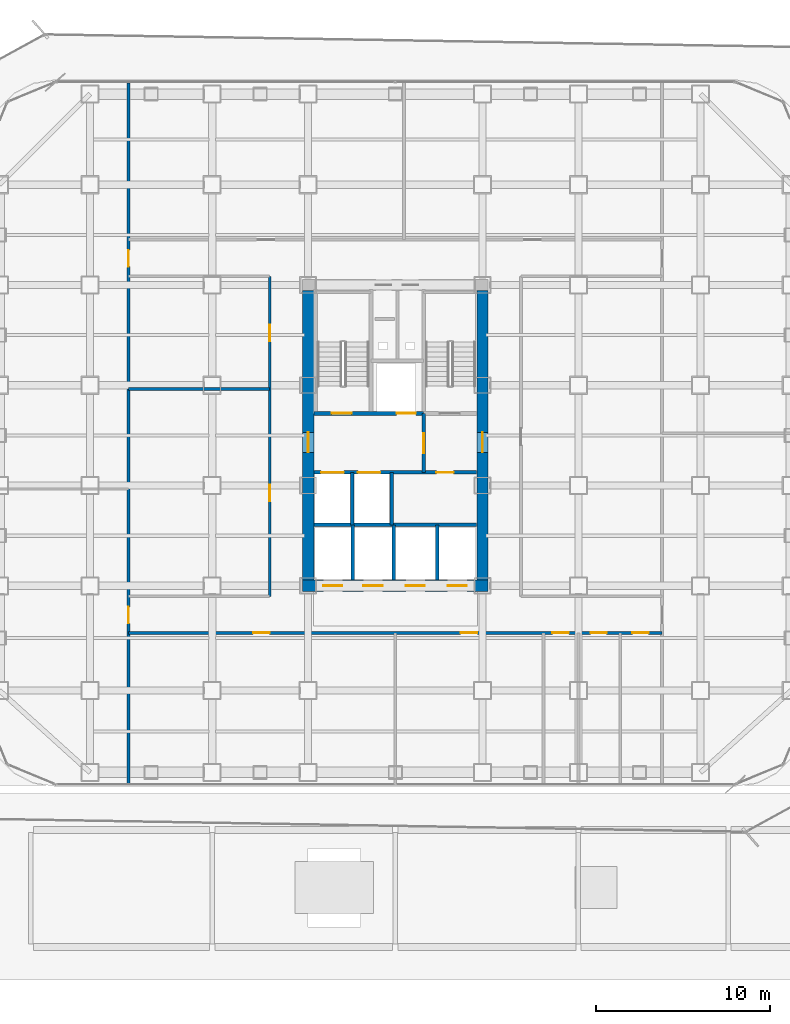
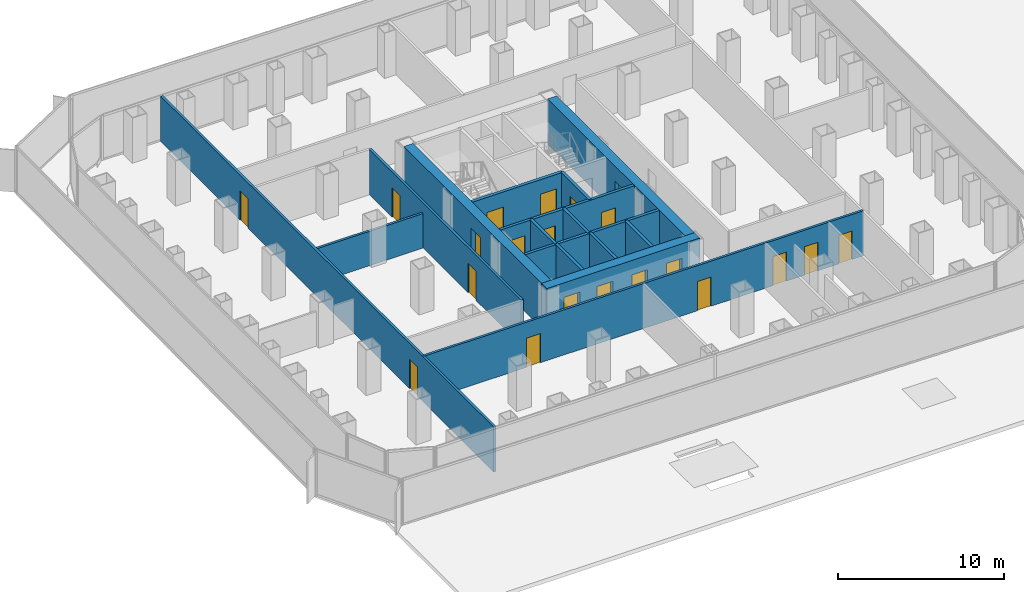
# One storey, part 23 of 27: 21 doors, 16 walls, 21 openings.
"""IFC4 building model written with IfcOpenShell, lengths in metres."""

from ifc_helpers import new_model, si_unit, direction, frame, frame_2d, origin, place, context, subcontext, project, spatial, rectangle, extrude, material, layer, layer_set, type_object, element, fill, save


model = new_model("IFC4")

# Units and contexts
model_context = context("Model", 3, precision=1e-05, world=origin(), true_north=direction((0.0, 1.0)))
body_context = subcontext(model_context, "Body", "Model", "MODEL_VIEW")
ifc_project = project(units=[si_unit("LENGTHUNIT", "METRE"), si_unit("AREAUNIT", "SQUARE_METRE"), si_unit("VOLUMEUNIT", "CUBIC_METRE"), si_unit("PLANEANGLEUNIT", "RADIAN"), si_unit("MASSUNIT", "GRAM", prefix="KILO")], contexts=[model_context])

# Site, building, storey
site_placement = place(None, origin())
site = spatial("IfcSite", under=ifc_project, at=site_placement, CompositionType="ELEMENT")
building_placement = place(site_placement, origin())
building = spatial("IfcBuilding", under=site, at=building_placement, Name="Kolveth Station Tower", CompositionType="ELEMENT")
storey_placement = place(building_placement, frame((0.0, 0.0, 22.5)))
storey = spatial("IfcBuildingStorey", under=building, at=storey_placement, Name="L05", CompositionType="ELEMENT", Elevation=22.5)

# Wall, openings, doors
ifc_material_1 = material(Name="Concrete C60/75", Category="concrete")
ifc_layer_1 = layer(ifc_material_1, 0.64990234375)
ifc_layer_set_1 = layer_set([ifc_layer_1], Name="Concrete C60/75")
wall_type_1 = type_object("IfcWallType", Name="Wall_CW-650", PredefinedType="SHEAR", material=ifc_layer_set_1)
wall_1_placement = place(storey_placement, frame((18.175048828125, 11.5, 0.0), z_axis=(0.0, 0.0, 1.0), x_axis=(1.0, 0.0, 0.0)))
wall_1 = element("IfcWall", 1, at=wall_1_placement, inside=storey, type_object=wall_type_1, Name="L05 Core RC Shear Wall S", PredefinedType="SHEAR", context=body_context, shape_type="SweptSolid", body=[
    extrude(rectangle(XDim=10.64990234375, YDim=0.64990234375, at=frame_2d((5.324951171875, 0.0))), origin(), (0.0, 0.0, 1.0), 3.320068359375),
])
opening_1_placement = place(wall_1_placement, frame((1.195068359375, 0.0, 0.0)))
opening_1 = element("IfcOpeningElement", 2, at=opening_1_placement, cuts=wall_1, Name="Opening LD1", PredefinedType="OPENING", context=body_context, shape_type="SweptSolid", body=[
    extrude(rectangle(XDim=1.10009765625, YDim=2.25, at=frame_2d((0.550048828125, 1.125))), frame((0.0, 0.3349609375, 0.0), z_axis=(0.0, -1.0, 0.0), x_axis=(1.0, 0.0, 0.0)), (0.0, 0.0, 1.0), 0.669921875),
])
opening_2_placement = place(wall_1_placement, frame((3.4951171875, 0.0, 0.0)))
opening_2 = element("IfcOpeningElement", 3, at=opening_2_placement, cuts=wall_1, Name="Opening LD1", PredefinedType="OPENING", context=body_context, shape_type="SweptSolid", body=[
    extrude(rectangle(XDim=1.10009765625, YDim=2.25, at=frame_2d((0.550048828125, 1.125))), frame((0.0, 0.3349609375, 0.0), z_axis=(0.0, -1.0, 0.0), x_axis=(1.0, 0.0, 0.0)), (0.0, 0.0, 1.0), 0.669921875),
])
opening_3_placement = place(wall_1_placement, frame((5.925048828125, 0.0, 0.0)))
opening_3 = element("IfcOpeningElement", 4, at=opening_3_placement, cuts=wall_1, Name="Opening LD1", PredefinedType="OPENING", context=body_context, shape_type="SweptSolid", body=[
    extrude(rectangle(XDim=1.10009765625, YDim=2.25, at=frame_2d((0.550048828125, 1.125))), frame((0.0, 0.3349609375, 0.0), z_axis=(0.0, -1.0, 0.0), x_axis=(1.0, 0.0, 0.0)), (0.0, 0.0, 1.0), 0.669921875),
])
opening_4_placement = place(wall_1_placement, frame((8.324951171875, 0.0, 0.0)))
opening_4 = element("IfcOpeningElement", 5, at=opening_4_placement, cuts=wall_1, Name="Opening LD1", PredefinedType="OPENING", context=body_context, shape_type="SweptSolid", body=[
    extrude(rectangle(XDim=1.10009765625, YDim=2.25, at=frame_2d((0.550048828125, 1.125))), frame((0.0, 0.3349609375, 0.0), z_axis=(0.0, -1.0, 0.0), x_axis=(1.0, 0.0, 0.0)), (0.0, 0.0, 1.0), 0.669921875),
])
ifc_material_2 = material(Name="Brushed stainless steel sliding landing doors", Category="steel")
door_type_1 = type_object("IfcDoorType", Name="Door_LD1", OperationType="NOTDEFINED", PredefinedType="DOOR", material=ifc_material_2)
door_1_placement = place(opening_1_placement, frame((1.10009765625, 0.0, 0.0), z_axis=(0.0, 0.0, 1.0), x_axis=(-1.0, 0.0, 0.0)))
door_1 = element("IfcDoor", 6, at=door_1_placement, inside=storey, type_object=door_type_1, Name="L05 Lift PL1 Landing Door", OperationType="DOUBLE_DOOR_SLIDING", OverallHeight=2.25, OverallWidth=1.10009765625, PredefinedType="DOOR", context=body_context, shape_type="SweptSolid", body=[
    extrude(rectangle(XDim=1.10009765625, YDim=2.25, at=frame_2d((0.550048828125, 1.125))), frame((0.0, 0.02490234375, 0.0), z_axis=(0.0, -1.0, 0.0), x_axis=(1.0, 0.0, 0.0)), (0.0, 0.0, 1.0), 0.050048828125),
])
fill(opening_1, door_1)
door_2_placement = place(opening_2_placement, frame((1.10009765625, 0.0, 0.0), z_axis=(0.0, 0.0, 1.0), x_axis=(-1.0, 0.0, 0.0)))
door_2 = element("IfcDoor", 7, at=door_2_placement, inside=storey, type_object=door_type_1, Name="L05 Lift PL2 Landing Door", OperationType="DOUBLE_DOOR_SLIDING", OverallHeight=2.25, OverallWidth=1.10009765625, PredefinedType="DOOR", context=body_context, shape_type="SweptSolid", body=[
    extrude(rectangle(XDim=1.10009765625, YDim=2.25, at=frame_2d((0.550048828125, 1.125))), frame((0.0, 0.02490234375, 0.0), z_axis=(0.0, -1.0, 0.0), x_axis=(1.0, 0.0, 0.0)), (0.0, 0.0, 1.0), 0.050048828125),
])
fill(opening_2, door_2)
door_3_placement = place(opening_3_placement, frame((1.10009765625, 0.0, 0.0), z_axis=(0.0, 0.0, 1.0), x_axis=(-1.0, 0.0, 0.0)))
door_3 = element("IfcDoor", 8, at=door_3_placement, inside=storey, type_object=door_type_1, Name="L05 Lift PM1 Landing Door", OperationType="DOUBLE_DOOR_SLIDING", OverallHeight=2.25, OverallWidth=1.10009765625, PredefinedType="DOOR", context=body_context, shape_type="SweptSolid", body=[
    extrude(rectangle(XDim=1.10009765625, YDim=2.25, at=frame_2d((0.550048828125, 1.125))), frame((0.0, 0.02490234375, 0.0), z_axis=(0.0, -1.0, 0.0), x_axis=(1.0, 0.0, 0.0)), (0.0, 0.0, 1.0), 0.050048828125),
])
fill(opening_3, door_3)
door_4_placement = place(opening_4_placement, frame((1.10009765625, 0.0, 0.0), z_axis=(0.0, 0.0, 1.0), x_axis=(-1.0, 0.0, 0.0)))
door_4 = element("IfcDoor", 9, at=door_4_placement, inside=storey, type_object=door_type_1, Name="L05 Lift PH1 Landing Door", OperationType="DOUBLE_DOOR_SLIDING", OverallHeight=2.25, OverallWidth=1.10009765625, PredefinedType="DOOR", context=body_context, shape_type="SweptSolid", body=[
    extrude(rectangle(XDim=1.10009765625, YDim=2.25, at=frame_2d((0.550048828125, 1.125))), frame((0.0, 0.02490234375, 0.0), z_axis=(0.0, -1.0, 0.0), x_axis=(1.0, 0.0, 0.0)), (0.0, 0.0, 1.0), 0.050048828125),
])
fill(opening_4, door_4)

# Wall, opening, door
wall_2_placement = place(storey_placement, frame((18.5, 11.824951171875, 0.0), z_axis=(0.0, 0.0, 1.0), x_axis=(0.0, 1.0, 0.0)))
wall_2 = element("IfcWall", 10, at=wall_2_placement, inside=storey, type_object=wall_type_1, Name="L05 Core RC Shear Wall W", PredefinedType="SHEAR", context=body_context, shape_type="SweptSolid", body=[
    extrude(rectangle(XDim=16.60009765625, YDim=0.64990234375, at=frame_2d((8.300048828125, 0.0))), origin(), (0.0, 0.0, 1.0), 3.320068359375),
])
opening_5_placement = place(wall_2_placement, frame((7.324951171875, 0.0, 0.0)))
opening_5 = element("IfcOpeningElement", 11, at=opening_5_placement, cuts=wall_2, Name="Opening FD1", PredefinedType="OPENING", context=body_context, shape_type="SweptSolid", body=[
    extrude(rectangle(XDim=1.14990234375, YDim=2.199951171875, at=frame_2d((0.574951171875, 1.10009765625))), frame((0.0, 0.3349609375, 0.0), z_axis=(0.0, -1.0, 0.0), x_axis=(1.0, 0.0, 0.0)), (0.0, 0.0, 1.0), 0.669921875),
])
ifc_material_3 = material(Name="Fire-rated Steel S355 leaf and frame", Category="steel")
door_type_2 = type_object("IfcDoorType", Name="Door_FD1", OperationType="NOTDEFINED", PredefinedType="DOOR", material=ifc_material_3)
door_5_placement = place(opening_5_placement, frame((1.14990234375, 0.0, 0.0), z_axis=(0.0, 0.0, 1.0), x_axis=(-1.0, 0.0, 0.0)))
door_5 = element("IfcDoor", 12, at=door_5_placement, inside=storey, type_object=door_type_2, Name="L05 West Corridor to Firefighting Lobby Door", OperationType="SINGLE_SWING_LEFT", OverallHeight=2.199951171875, OverallWidth=1.14990234375, PredefinedType="DOOR", context=body_context, shape_type="SweptSolid", body=[
    extrude(rectangle(XDim=1.14990234375, YDim=2.199951171875, at=frame_2d((0.574951171875, 1.10009765625))), frame((0.0, 0.02490234375, 0.0), z_axis=(0.0, -1.0, 0.0), x_axis=(1.0, 0.0, 0.0)), (0.0, 0.0, 1.0), 0.050048828125),
])
fill(opening_5, door_5)

wall_3_placement = place(storey_placement, frame((28.5, 11.824951171875, 0.0), z_axis=(0.0, 0.0, 1.0), x_axis=(0.0, 1.0, 0.0)))
wall_3 = element("IfcWall", 13, at=wall_3_placement, inside=storey, type_object=wall_type_1, Name="L05 Core RC Shear Wall E", PredefinedType="SHEAR", context=body_context, shape_type="SweptSolid", body=[
    extrude(rectangle(XDim=16.60009765625, YDim=0.64990234375, at=frame_2d((8.300048828125, 0.0))), origin(), (0.0, 0.0, 1.0), 3.320068359375),
])
opening_6_placement = place(wall_3_placement, frame((7.324951171875, 0.0, 0.0)))
opening_6 = element("IfcOpeningElement", 14, at=opening_6_placement, cuts=wall_3, Name="Opening FD1", PredefinedType="OPENING", context=body_context, shape_type="SweptSolid", body=[
    extrude(rectangle(XDim=1.14990234375, YDim=2.199951171875, at=frame_2d((0.574951171875, 1.10009765625))), frame((0.0, 0.3349609375, 0.0), z_axis=(0.0, -1.0, 0.0), x_axis=(1.0, 0.0, 0.0)), (0.0, 0.0, 1.0), 0.669921875),
])
door_6_placement = place(opening_6_placement, origin())
door_6 = element("IfcDoor", 15, at=door_6_placement, inside=storey, type_object=door_type_2, Name="L05 East Corridor to Stair Lobby Door", OperationType="SINGLE_SWING_RIGHT", OverallHeight=2.199951171875, OverallWidth=1.14990234375, PredefinedType="DOOR", context=body_context, shape_type="SweptSolid", body=[
    extrude(rectangle(XDim=1.14990234375, YDim=2.199951171875, at=frame_2d((0.574951171875, 1.10009765625))), frame((0.0, 0.02490234375, 0.0), z_axis=(0.0, -1.0, 0.0), x_axis=(1.0, 0.0, 0.0)), (0.0, 0.0, 1.0), 0.050048828125),
])
fill(opening_6, door_6)

# Wall, openings, doors
ifc_material_4 = material(Name="Acoustic double-stud gypsum partition")
ifc_layer_2 = layer(ifc_material_4, 0.1650390625)
ifc_layer_set_2 = layer_set([ifc_layer_2], Name="Acoustic double-stud gypsum partition")
wall_type_2 = type_object("IfcWallType", Name="Wall_IW-165", PredefinedType="PARTITIONING", material=ifc_layer_set_2)
wall_4_placement = place(storey_placement, frame((8.199951171875, 8.800048828125, 0.0), z_axis=(0.0, 0.0, 1.0), x_axis=(1.0, 0.0, 0.0)))
wall_4 = element("IfcWall", 16, at=wall_4_placement, inside=storey, type_object=wall_type_2, Name="L05 Partition Wall WL-L05-OS", PredefinedType="PARTITIONING", context=body_context, shape_type="SweptSolid", body=[
    extrude(rectangle(XDim=30.60009765625, YDim=0.1650390625, at=frame_2d((15.300048828125, 0.0))), origin(), (0.0, 0.0, 1.0), 3.320068359375),
])
opening_7_placement = place(wall_4_placement, frame((7.14990234375, 0.0, 0.0)))
opening_7 = element("IfcOpeningElement", 17, at=opening_7_placement, cuts=wall_4, Name="Opening ID1", PredefinedType="OPENING", context=body_context, shape_type="SweptSolid", body=[
    extrude(rectangle(XDim=0.949951171875, YDim=2.14990234375, at=frame_2d((0.47509765625, 1.074951171875))), frame((0.0, 0.092529296875, 0.0), z_axis=(0.0, -1.0, 0.0), x_axis=(1.0, 0.0, 0.0)), (0.0, 0.0, 1.0), 0.18505859375),
])
opening_8_placement = place(wall_4_placement, frame((19.050048828125, 0.0, 0.0)))
opening_8 = element("IfcOpeningElement", 18, at=opening_8_placement, cuts=wall_4, Name="Opening ID1", PredefinedType="OPENING", context=body_context, shape_type="SweptSolid", body=[
    extrude(rectangle(XDim=0.949951171875, YDim=2.14990234375, at=frame_2d((0.47509765625, 1.074951171875))), frame((0.0, 0.092529296875, 0.0), z_axis=(0.0, -1.0, 0.0), x_axis=(1.0, 0.0, 0.0)), (0.0, 0.0, 1.0), 0.18505859375),
])
opening_9_placement = place(wall_4_placement, frame((24.300048828125, 0.0, 0.0)))
opening_9 = element("IfcOpeningElement", 19, at=opening_9_placement, cuts=wall_4, Name="Opening ID1", PredefinedType="OPENING", context=body_context, shape_type="SweptSolid", body=[
    extrude(rectangle(XDim=0.949951171875, YDim=2.14990234375, at=frame_2d((0.47509765625, 1.074951171875))), frame((0.0, 0.092529296875, 0.0), z_axis=(0.0, -1.0, 0.0), x_axis=(1.0, 0.0, 0.0)), (0.0, 0.0, 1.0), 0.18505859375),
])
opening_10_placement = place(wall_4_placement, frame((26.5, 0.0, 0.0)))
opening_10 = element("IfcOpeningElement", 20, at=opening_10_placement, cuts=wall_4, Name="Opening ID2", PredefinedType="OPENING", context=body_context, shape_type="SweptSolid", body=[
    extrude(rectangle(XDim=0.919921875, YDim=2.10009765625, at=frame_2d((0.4599609375, 1.050048828125))), frame((0.0, 0.092529296875, 0.0), z_axis=(0.0, -1.0, 0.0), x_axis=(1.0, 0.0, 0.0)), (0.0, 0.0, 1.0), 0.18505859375),
])
opening_11_placement = place(wall_4_placement, frame((28.89990234375, 0.0, 0.0)))
opening_11 = element("IfcOpeningElement", 21, at=opening_11_placement, cuts=wall_4, Name="Opening ID2", PredefinedType="OPENING", context=body_context, shape_type="SweptSolid", body=[
    extrude(rectangle(XDim=0.919921875, YDim=2.10009765625, at=frame_2d((0.4599609375, 1.050048828125))), frame((0.0, 0.092529296875, 0.0), z_axis=(0.0, -1.0, 0.0), x_axis=(1.0, 0.0, 0.0)), (0.0, 0.0, 1.0), 0.18505859375),
])
ifc_material_5 = material(Name="Acoustic hardwood leaf and aluminium frame", Category="wood")
door_type_3 = type_object("IfcDoorType", Name="Door_ID1", OperationType="NOTDEFINED", PredefinedType="DOOR", material=ifc_material_5)
door_7_placement = place(opening_7_placement, frame((0.949951171875, 0.0, 0.0), z_axis=(0.0, 0.0, 1.0), x_axis=(-1.0, 0.0, 0.0)))
door_7 = element("IfcDoor", 22, at=door_7_placement, inside=storey, type_object=door_type_3, Name="L05 Open Plan Office South Door", OperationType="SINGLE_SWING_LEFT", OverallHeight=2.14990234375, OverallWidth=0.949951171875, PredefinedType="DOOR", context=body_context, shape_type="SweptSolid", body=[
    extrude(rectangle(XDim=0.949951171875, YDim=2.14990234375, at=frame_2d((0.47509765625, 1.074951171875))), frame((0.0, 0.02490234375, 0.0), z_axis=(0.0, -1.0, 0.0), x_axis=(1.0, 0.0, 0.0)), (0.0, 0.0, 1.0), 0.050048828125),
])
fill(opening_7, door_7)
door_8_placement = place(opening_8_placement, frame((0.949951171875, 0.0, 0.0), z_axis=(0.0, 0.0, 1.0), x_axis=(-1.0, 0.0, 0.0)))
door_8 = element("IfcDoor", 23, at=door_8_placement, inside=storey, type_object=door_type_3, Name="L05 Boardroom Door", OperationType="SINGLE_SWING_RIGHT", OverallHeight=2.14990234375, OverallWidth=0.949951171875, PredefinedType="DOOR", context=body_context, shape_type="SweptSolid", body=[
    extrude(rectangle(XDim=0.949951171875, YDim=2.14990234375, at=frame_2d((0.47509765625, 1.074951171875))), frame((0.0, 0.02490234375, 0.0), z_axis=(0.0, -1.0, 0.0), x_axis=(1.0, 0.0, 0.0)), (0.0, 0.0, 1.0), 0.050048828125),
])
fill(opening_8, door_8)
door_9_placement = place(opening_9_placement, frame((0.949951171875, 0.0, 0.0), z_axis=(0.0, 0.0, 1.0), x_axis=(-1.0, 0.0, 0.0)))
door_9 = element("IfcDoor", 24, at=door_9_placement, inside=storey, type_object=door_type_3, Name="L05 Office Pantry Door", OperationType="SINGLE_SWING_LEFT", OverallHeight=2.14990234375, OverallWidth=0.949951171875, PredefinedType="DOOR", context=body_context, shape_type="SweptSolid", body=[
    extrude(rectangle(XDim=0.949951171875, YDim=2.14990234375, at=frame_2d((0.47509765625, 1.074951171875))), frame((0.0, 0.02490234375, 0.0), z_axis=(0.0, -1.0, 0.0), x_axis=(1.0, 0.0, 0.0)), (0.0, 0.0, 1.0), 0.050048828125),
])
fill(opening_9, door_9)
ifc_material_6 = material(Name="Moisture-resistant hardwood leaf", Category="wood")
door_type_4 = type_object("IfcDoorType", Name="Door_ID2", OperationType="NOTDEFINED", PredefinedType="DOOR", material=ifc_material_6)
door_10_placement = place(opening_10_placement, frame((0.919921875, 0.0, 0.0), z_axis=(0.0, 0.0, 1.0), x_axis=(-1.0, 0.0, 0.0)))
door_10 = element("IfcDoor", 25, at=door_10_placement, inside=storey, type_object=door_type_4, Name="L05 Male Toilet Door", OperationType="SINGLE_SWING_LEFT", OverallHeight=2.10009765625, OverallWidth=0.919921875, PredefinedType="DOOR", context=body_context, shape_type="SweptSolid", body=[
    extrude(rectangle(XDim=0.919921875, YDim=2.10009765625, at=frame_2d((0.4599609375, 1.050048828125))), frame((0.0, 0.02490234375, 0.0), z_axis=(0.0, -1.0, 0.0), x_axis=(1.0, 0.0, 0.0)), (0.0, 0.0, 1.0), 0.050048828125),
])
fill(opening_10, door_10)
door_11_placement = place(opening_11_placement, frame((0.919921875, 0.0, 0.0), z_axis=(0.0, 0.0, 1.0), x_axis=(-1.0, 0.0, 0.0)))
door_11 = element("IfcDoor", 26, at=door_11_placement, inside=storey, type_object=door_type_4, Name="L05 Accessible WC Door", OperationType="SINGLE_SWING_LEFT", OverallHeight=2.10009765625, OverallWidth=0.919921875, PredefinedType="DOOR", context=body_context, shape_type="SweptSolid", body=[
    extrude(rectangle(XDim=0.919921875, YDim=2.10009765625, at=frame_2d((0.4599609375, 1.050048828125))), frame((0.0, 0.02490234375, 0.0), z_axis=(0.0, -1.0, 0.0), x_axis=(1.0, 0.0, 0.0)), (0.0, 0.0, 1.0), 0.050048828125),
])
fill(opening_11, door_11)

wall_5_placement = place(storey_placement, frame((16.300048828125, 10.89990234375, 0.0), z_axis=(0.0, 0.0, 1.0), x_axis=(0.0, 1.0, 0.0)))
wall_5 = element("IfcWall", 27, at=wall_5_placement, inside=storey, type_object=wall_type_2, Name="L05 Partition Wall WL-L05-OCW", PredefinedType="PARTITIONING", context=body_context, shape_type="SweptSolid", body=[
    extrude(rectangle(XDim=18.35009765625, YDim=0.1650390625, at=frame_2d((9.175048828125, 0.0))), origin(), (0.0, 0.0, 1.0), 3.320068359375),
])
opening_12_placement = place(wall_5_placement, frame((5.43994140625, 0.0, 0.0)))
opening_12 = element("IfcOpeningElement", 28, at=opening_12_placement, cuts=wall_5, Name="Opening ID1", PredefinedType="OPENING", context=body_context, shape_type="SweptSolid", body=[
    extrude(rectangle(XDim=0.949951171875, YDim=2.14990234375, at=frame_2d((0.47509765625, 1.074951171875))), frame((0.0, 0.092529296875, 0.0), z_axis=(0.0, -1.0, 0.0), x_axis=(1.0, 0.0, 0.0)), (0.0, 0.0, 1.0), 0.18505859375),
])
opening_13_placement = place(wall_5_placement, frame((14.615966796875, 0.0, 0.0)))
opening_13 = element("IfcOpeningElement", 29, at=opening_13_placement, cuts=wall_5, Name="Opening ID1", PredefinedType="OPENING", context=body_context, shape_type="SweptSolid", body=[
    extrude(rectangle(XDim=0.949951171875, YDim=2.14990234375, at=frame_2d((0.47509765625, 1.074951171875))), frame((0.0, 0.092529296875, 0.0), z_axis=(0.0, -1.0, 0.0), x_axis=(1.0, 0.0, 0.0)), (0.0, 0.0, 1.0), 0.18505859375),
])
door_12_placement = place(opening_12_placement, frame((0.949951171875, 0.0, 0.0), z_axis=(0.0, 0.0, 1.0), x_axis=(-1.0, 0.0, 0.0)))
door_12 = element("IfcDoor", 30, at=door_12_placement, inside=storey, type_object=door_type_3, Name="L05 Internal Meeting Room W1 Door", OperationType="SINGLE_SWING_RIGHT", OverallHeight=2.14990234375, OverallWidth=0.949951171875, PredefinedType="DOOR", context=body_context, shape_type="SweptSolid", body=[
    extrude(rectangle(XDim=0.949951171875, YDim=2.14990234375, at=frame_2d((0.47509765625, 1.074951171875))), frame((0.0, 0.02490234375, 0.0), z_axis=(0.0, -1.0, 0.0), x_axis=(1.0, 0.0, 0.0)), (0.0, 0.0, 1.0), 0.050048828125),
])
fill(opening_12, door_12)
door_13_placement = place(opening_13_placement, frame((0.949951171875, 0.0, 0.0), z_axis=(0.0, 0.0, 1.0), x_axis=(-1.0, 0.0, 0.0)))
door_13 = element("IfcDoor", 31, at=door_13_placement, inside=storey, type_object=door_type_3, Name="L05 Print and Archive Room Door", OperationType="SINGLE_SWING_LEFT", OverallHeight=2.14990234375, OverallWidth=0.949951171875, PredefinedType="DOOR", context=body_context, shape_type="SweptSolid", body=[
    extrude(rectangle(XDim=0.949951171875, YDim=2.14990234375, at=frame_2d((0.47509765625, 1.074951171875))), frame((0.0, 0.02490234375, 0.0), z_axis=(0.0, -1.0, 0.0), x_axis=(1.0, 0.0, 0.0)), (0.0, 0.0, 1.0), 0.050048828125),
])
fill(opening_13, door_13)

wall_6_placement = place(storey_placement, frame((8.199951171875, 0.159912109375, 0.0), z_axis=(0.0, 0.0, 1.0), x_axis=(0.0, 1.0, 0.0)))
wall_6 = element("IfcWall", 32, at=wall_6_placement, inside=storey, type_object=wall_type_2, Name="L05 Partition Wall WL-L05-OWEND", PredefinedType="PARTITIONING", context=body_context, shape_type="SweptSolid", body=[
    extrude(rectangle(XDim=40.18017578125, YDim=0.1650390625, at=frame_2d((20.090087890625, 0.0))), origin(), (0.0, 0.0, 1.0), 3.320068359375),
])
opening_14_placement = place(wall_6_placement, frame((9.18994140625, 0.0, 0.0)))
opening_14 = element("IfcOpeningElement", 33, at=opening_14_placement, cuts=wall_6, Name="Opening ID1", PredefinedType="OPENING", context=body_context, shape_type="SweptSolid", body=[
    extrude(rectangle(XDim=0.949951171875, YDim=2.14990234375, at=frame_2d((0.47509765625, 1.074951171875))), frame((0.0, 0.092529296875, 0.0), z_axis=(0.0, -1.0, 0.0), x_axis=(1.0, 0.0, 0.0)), (0.0, 0.0, 1.0), 0.18505859375),
])
opening_15_placement = place(wall_6_placement, frame((29.639892578125, 0.0, 0.0)))
opening_15 = element("IfcOpeningElement", 34, at=opening_15_placement, cuts=wall_6, Name="Opening ID1", PredefinedType="OPENING", context=body_context, shape_type="SweptSolid", body=[
    extrude(rectangle(XDim=0.949951171875, YDim=2.14990234375, at=frame_2d((0.47509765625, 1.074951171875))), frame((0.0, 0.092529296875, 0.0), z_axis=(0.0, -1.0, 0.0), x_axis=(1.0, 0.0, 0.0)), (0.0, 0.0, 1.0), 0.18505859375),
])
door_14_placement = place(opening_14_placement, frame((0.949951171875, 0.0, 0.0), z_axis=(0.0, 0.0, 1.0), x_axis=(-1.0, 0.0, 0.0)))
door_14 = element("IfcDoor", 35, at=door_14_placement, inside=storey, type_object=door_type_3, Name="L05 West-South Wing Door", OperationType="SINGLE_SWING_RIGHT", OverallHeight=2.14990234375, OverallWidth=0.949951171875, PredefinedType="DOOR", context=body_context, shape_type="SweptSolid", body=[
    extrude(rectangle(XDim=0.949951171875, YDim=2.14990234375, at=frame_2d((0.47509765625, 1.074951171875))), frame((0.0, 0.02490234375, 0.0), z_axis=(0.0, -1.0, 0.0), x_axis=(1.0, 0.0, 0.0)), (0.0, 0.0, 1.0), 0.050048828125),
])
fill(opening_14, door_14)
door_15_placement = place(opening_15_placement, frame((0.949951171875, 0.0, 0.0), z_axis=(0.0, 0.0, 1.0), x_axis=(-1.0, 0.0, 0.0)))
door_15 = element("IfcDoor", 36, at=door_15_placement, inside=storey, type_object=door_type_3, Name="L05 West-North Wing Door", OperationType="SINGLE_SWING_LEFT", OverallHeight=2.14990234375, OverallWidth=0.949951171875, PredefinedType="DOOR", context=body_context, shape_type="SweptSolid", body=[
    extrude(rectangle(XDim=0.949951171875, YDim=2.14990234375, at=frame_2d((0.47509765625, 1.074951171875))), frame((0.0, 0.02490234375, 0.0), z_axis=(0.0, -1.0, 0.0), x_axis=(1.0, 0.0, 0.0)), (0.0, 0.0, 1.0), 0.050048828125),
])
fill(opening_15, door_15)

# Wall
wall_7_placement = place(storey_placement, frame((8.199951171875, 22.781005859375, 0.0), z_axis=(0.0, 0.0, 1.0), x_axis=(1.0, 0.0, 0.0)))
element("IfcWall", 37, at=wall_7_placement, inside=storey, type_object=wall_type_2, Name="L05 Partition Wall WL-L05-OIW-P1", PredefinedType="PARTITIONING", context=body_context, shape_type="SweptSolid", body=[
    extrude(rectangle(XDim=8.10009765625, YDim=0.1650390625, at=frame_2d((4.050048828125, 0.0))), origin(), (0.0, 0.0, 1.0), 2.5390625),
])

# Wall, opening, door
ifc_material_7 = material(Name="Acoustic fire-rated gypsum blockwork", Category="masonry")
ifc_layer_3 = layer(ifc_material_7, 0.199951171875)
ifc_layer_set_3 = layer_set([ifc_layer_3], Name="Acoustic fire-rated gypsum blockwork")
wall_type_3 = type_object("IfcWallType", Name="Wall_IW-200", PredefinedType="PARTITIONING", material=ifc_layer_set_3)
wall_8_placement = place(storey_placement, frame((25.1298828125, 18.0, 0.0), z_axis=(0.0, 0.0, 1.0), x_axis=(0.0, 1.0, 0.0)))
wall_8 = element("IfcWall", 38, at=wall_8_placement, inside=storey, type_object=wall_type_3, Name="L05 Partition Wall WL-L05-FFL-E", PredefinedType="PARTITIONING", context=body_context, shape_type="SweptSolid", body=[
    extrude(rectangle(XDim=3.389892578125, YDim=0.199951171875, at=frame_2d((1.69482421875, 0.0))), origin(), (0.0, 0.0, 1.0), 3.320068359375),
])
opening_16_placement = place(wall_8_placement, frame((1.10009765625, 0.0, 0.0)))
opening_16 = element("IfcOpeningElement", 39, at=opening_16_placement, cuts=wall_8, Name="Opening FD1", PredefinedType="OPENING", context=body_context, shape_type="SweptSolid", body=[
    extrude(rectangle(XDim=1.14990234375, YDim=2.199951171875, at=frame_2d((0.574951171875, 1.10009765625))), frame((0.0, 0.10986328125, 0.0), z_axis=(0.0, -1.0, 0.0), x_axis=(1.0, 0.0, 0.0)), (0.0, 0.0, 1.0), 0.219970703125),
])
door_16_placement = place(opening_16_placement, origin())
door_16 = element("IfcDoor", 40, at=door_16_placement, inside=storey, type_object=door_type_2, Name="L05 Firefighting to Stair Lobby Door", OperationType="SINGLE_SWING_LEFT", OverallHeight=2.199951171875, OverallWidth=1.14990234375, PredefinedType="DOOR", context=body_context, shape_type="SweptSolid", body=[
    extrude(rectangle(XDim=1.14990234375, YDim=2.199951171875, at=frame_2d((0.574951171875, 1.10009765625))), frame((0.0, 0.02490234375, 0.0), z_axis=(0.0, -1.0, 0.0), x_axis=(1.0, 0.0, 0.0)), (0.0, 0.0, 1.0), 0.050048828125),
])
fill(opening_16, door_16)

# Wall, openings, doors
wall_9_placement = place(storey_placement, frame((18.8349609375, 18.0, 0.0), z_axis=(0.0, 0.0, 1.0), x_axis=(1.0, 0.0, 0.0)))
wall_9 = element("IfcWall", 41, at=wall_9_placement, inside=storey, type_object=wall_type_3, Name="L05 Partition Wall WL-L05-FFL-S", PredefinedType="PARTITIONING", context=body_context, shape_type="SweptSolid", body=[
    extrude(rectangle(XDim=9.330078125, YDim=0.199951171875, at=frame_2d((4.6650390625, 0.0))), origin(), (0.0, 0.0, 1.0), 3.320068359375),
])
opening_17_placement = place(wall_9_placement, frame((0.4150390625, 0.0, 0.0)))
opening_17 = element("IfcOpeningElement", 42, at=opening_17_placement, cuts=wall_9, Name="Opening LD2", PredefinedType="OPENING", context=body_context, shape_type="SweptSolid", body=[
    extrude(rectangle(XDim=1.300048828125, YDim=2.300048828125, at=frame_2d((0.64990234375, 1.14990234375))), frame((0.0, 0.10986328125, 0.0), z_axis=(0.0, -1.0, 0.0), x_axis=(1.0, 0.0, 0.0)), (0.0, 0.0, 1.0), 0.219970703125),
])
opening_18_placement = place(wall_9_placement, frame((2.514892578125, 0.0, 0.0)))
opening_18 = element("IfcOpeningElement", 43, at=opening_18_placement, cuts=wall_9, Name="Opening LD2", PredefinedType="OPENING", context=body_context, shape_type="SweptSolid", body=[
    extrude(rectangle(XDim=1.300048828125, YDim=2.300048828125, at=frame_2d((0.64990234375, 1.14990234375))), frame((0.0, 0.10986328125, 0.0), z_axis=(0.0, -1.0, 0.0), x_axis=(1.0, 0.0, 0.0)), (0.0, 0.0, 1.0), 0.219970703125),
])
opening_19_placement = place(wall_9_placement, frame((7.014892578125, 0.0, 0.0)))
opening_19 = element("IfcOpeningElement", 44, at=opening_19_placement, cuts=wall_9, Name="Opening FD3", PredefinedType="OPENING", context=body_context, shape_type="SweptSolid", body=[
    extrude(rectangle(XDim=1.0, YDim=2.14990234375, at=frame_2d((0.5, 1.074951171875))), frame((0.0, 0.10986328125, 0.0), z_axis=(0.0, -1.0, 0.0), x_axis=(1.0, 0.0, 0.0)), (0.0, 0.0, 1.0), 0.219970703125),
])
ifc_material_8 = material(Name="Fire-rated hardwood leaf and aluminium frame", Category="wood")
door_type_5 = type_object("IfcDoorType", Name="Door_FD3", OperationType="NOTDEFINED", PredefinedType="DOOR", material=ifc_material_8)
door_17_placement = place(opening_19_placement, frame((1.0, 0.0, 0.0), z_axis=(0.0, 0.0, 1.0), x_axis=(-1.0, 0.0, 0.0)))
door_17 = element("IfcDoor", 45, at=door_17_placement, inside=storey, type_object=door_type_5, Name="L05 Core Staff Pantry Door", OperationType="SINGLE_SWING_RIGHT", OverallHeight=2.14990234375, OverallWidth=1.0, PredefinedType="DOOR", context=body_context, shape_type="SweptSolid", body=[
    extrude(rectangle(XDim=1.0, YDim=2.14990234375, at=frame_2d((0.5, 1.074951171875))), frame((0.0, 0.02490234375, 0.0), z_axis=(0.0, -1.0, 0.0), x_axis=(1.0, 0.0, 0.0)), (0.0, 0.0, 1.0), 0.050048828125),
])
fill(opening_19, door_17)
ifc_material_9 = material(Name="Firefighting stainless steel sliding landing doors", Category="steel")
door_type_6 = type_object("IfcDoorType", Name="Door_LD2", OperationType="NOTDEFINED", PredefinedType="DOOR", material=ifc_material_9)
door_18_placement = place(opening_17_placement, origin())
door_18 = element("IfcDoor", 46, at=door_18_placement, inside=storey, type_object=door_type_6, Name="L05 Firefighting Lift FF1 Landing Door", OperationType="DOUBLE_DOOR_SLIDING", OverallHeight=2.300048828125, OverallWidth=1.300048828125, PredefinedType="DOOR", context=body_context, shape_type="SweptSolid", body=[
    extrude(rectangle(XDim=1.300048828125, YDim=2.300048828125, at=frame_2d((0.64990234375, 1.14990234375))), frame((0.0, 0.02490234375, 0.0), z_axis=(0.0, -1.0, 0.0), x_axis=(1.0, 0.0, 0.0)), (0.0, 0.0, 1.0), 0.050048828125),
])
fill(opening_17, door_18)
door_19_placement = place(opening_18_placement, origin())
door_19 = element("IfcDoor", 47, at=door_19_placement, inside=storey, type_object=door_type_6, Name="L05 Firefighting Lift FF2 Landing Door", OperationType="DOUBLE_DOOR_SLIDING", OverallHeight=2.300048828125, OverallWidth=1.300048828125, PredefinedType="DOOR", context=body_context, shape_type="SweptSolid", body=[
    extrude(rectangle(XDim=1.300048828125, YDim=2.300048828125, at=frame_2d((0.64990234375, 1.14990234375))), frame((0.0, 0.02490234375, 0.0), z_axis=(0.0, -1.0, 0.0), x_axis=(1.0, 0.0, 0.0)), (0.0, 0.0, 1.0), 0.050048828125),
])
fill(opening_18, door_19)

# Walls
for number, where, z_axis, x_axis, name in (
    (48, (21.02001953125, 15.0, 0.0), (0.0, 0.0, 1.0), (0.0, 1.0, 0.0), "L05 Partition Wall WL-L05-FF12"),
    (49, (23.300048828125, 15.0, 0.0), (0.0, 0.0, 1.0), (0.0, 1.0, 0.0), "L05 Partition Wall WL-L05-FF2E"),
):
    element("IfcWall", number, at=place(storey_placement, frame(where, z_axis=z_axis, x_axis=x_axis)), inside=storey, type_object=wall_type_3, Name=name, PredefinedType="PARTITIONING", context=body_context, shape_type="SweptSolid", body=[
        extrude(rectangle(XDim=3.0, YDim=0.199951171875, at=frame_2d((1.5, 0.0))), origin(), (0.0, 0.0, 1.0), 3.320068359375),
    ])
wall_10_placement = place(storey_placement, frame((18.8349609375, 15.0, 0.0), z_axis=(0.0, 0.0, 1.0), x_axis=(1.0, 0.0, 0.0)))
element("IfcWall", 50, at=wall_10_placement, inside=storey, type_object=wall_type_3, Name="L05 Partition Wall WL-L05-BOH-S", PredefinedType="PARTITIONING", context=body_context, shape_type="SweptSolid", body=[
    extrude(rectangle(XDim=9.330078125, YDim=0.199951171875, at=frame_2d((4.6650390625, 0.0))), origin(), (0.0, 0.0, 1.0), 3.320068359375),
])
for number, where, z_axis, x_axis, name in (
    (51, (21.050048828125, 11.8349609375, 0.0), (0.0, 0.0, 1.0), (0.0, 1.0, 0.0), "L05 Partition Wall WL-L05-PL12"),
    (52, (23.39990234375, 11.8349609375, 0.0), (0.0, 0.0, 1.0), (0.0, 1.0, 0.0), "L05 Partition Wall WL-L05-PL2E"),
    (53, (25.89990234375, 11.8349609375, 0.0), (0.0, 0.0, 1.0), (0.0, 1.0, 0.0), "L05 Partition Wall WL-L05-PMPH"),
):
    element("IfcWall", number, at=place(storey_placement, frame(where, z_axis=z_axis, x_axis=x_axis)), inside=storey, type_object=wall_type_3, Name=name, PredefinedType="PARTITIONING", context=body_context, shape_type="SweptSolid", body=[
        extrude(rectangle(XDim=3.1650390625, YDim=0.199951171875, at=frame_2d((1.58251953125, 0.0))), origin(), (0.0, 0.0, 1.0), 3.320068359375),
    ])

# Wall, openings, doors
ifc_material_10 = material(Name="Concrete C40/50", Category="concrete")
ifc_layer_4 = layer(ifc_material_10, 0.219970703125)
ifc_layer_set_4 = layer_set([ifc_layer_4], Name="Concrete C40/50")
wall_type_4 = type_object("IfcWallType", Name="Wall_IW-220", PredefinedType="SOLIDWALL", material=ifc_layer_set_4)
wall_11_placement = place(storey_placement, frame((18.8349609375, 21.389892578125, 0.0), z_axis=(0.0, 0.0, 1.0), x_axis=(1.0, 0.0, 0.0)))
wall_11 = element("IfcWall", 54, at=wall_11_placement, inside=storey, type_object=wall_type_4, Name="L05 Stair Shaft Wall WL-L05-ST1-S", PredefinedType="SOLIDWALL", context=body_context, shape_type="SweptSolid", body=[
    extrude(rectangle(XDim=6.294921875, YDim=0.219970703125, at=frame_2d((3.1474609375, 0.0))), origin(), (0.0, 0.0, 1.0), 3.320068359375),
])
opening_20_placement = place(wall_11_placement, frame((1.014892578125, 0.0, 0.0)))
opening_20 = element("IfcOpeningElement", 55, at=opening_20_placement, cuts=wall_11, Name="Opening FD1", PredefinedType="OPENING", context=body_context, shape_type="SweptSolid", body=[
    extrude(rectangle(XDim=1.14990234375, YDim=2.199951171875, at=frame_2d((0.574951171875, 1.10009765625))), frame((0.0, 0.119873046875, 0.0), z_axis=(0.0, -1.0, 0.0), x_axis=(1.0, 0.0, 0.0)), (0.0, 0.0, 1.0), 0.239990234375),
])
opening_21_placement = place(wall_11_placement, frame((4.7451171875, 0.0, 0.0)))
opening_21 = element("IfcOpeningElement", 56, at=opening_21_placement, cuts=wall_11, Name="Opening LD1", PredefinedType="OPENING", context=body_context, shape_type="SweptSolid", body=[
    extrude(rectangle(XDim=1.10009765625, YDim=2.25, at=frame_2d((0.550048828125, 1.125))), frame((0.0, 0.119873046875, 0.0), z_axis=(0.0, -1.0, 0.0), x_axis=(1.0, 0.0, 0.0)), (0.0, 0.0, 1.0), 0.239990234375),
])
door_20_placement = place(opening_20_placement, frame((1.14990234375, 0.0, 0.0), z_axis=(0.0, 0.0, 1.0), x_axis=(-1.0, 0.0, 0.0)))
door_20 = element("IfcDoor", 57, at=door_20_placement, inside=storey, type_object=door_type_2, Name="L05 Stair ST1 Fire Door", OperationType="SINGLE_SWING_LEFT", OverallHeight=2.199951171875, OverallWidth=1.14990234375, PredefinedType="DOOR", context=body_context, shape_type="SweptSolid", body=[
    extrude(rectangle(XDim=1.14990234375, YDim=2.199951171875, at=frame_2d((0.574951171875, 1.10009765625))), frame((0.0, 0.02490234375, 0.0), z_axis=(0.0, -1.0, 0.0), x_axis=(1.0, 0.0, 0.0)), (0.0, 0.0, 1.0), 0.050048828125),
])
fill(opening_20, door_20)
door_21_placement = place(opening_21_placement, frame((1.10009765625, 0.0, 0.0), z_axis=(0.0, 0.0, 1.0), x_axis=(-1.0, 0.0, 0.0)))
door_21 = element("IfcDoor", 58, at=door_21_placement, inside=storey, type_object=door_type_1, Name="L05 Service Lift SV1 Landing Door", OperationType="DOUBLE_DOOR_SLIDING", OverallHeight=2.25, OverallWidth=1.10009765625, PredefinedType="DOOR", context=body_context, shape_type="SweptSolid", body=[
    extrude(rectangle(XDim=1.10009765625, YDim=2.25, at=frame_2d((0.550048828125, 1.125))), frame((0.0, 0.02490234375, 0.0), z_axis=(0.0, -1.0, 0.0), x_axis=(1.0, 0.0, 0.0)), (0.0, 0.0, 1.0), 0.050048828125),
])
fill(opening_21, door_21)

save(model, "model.ifc")
